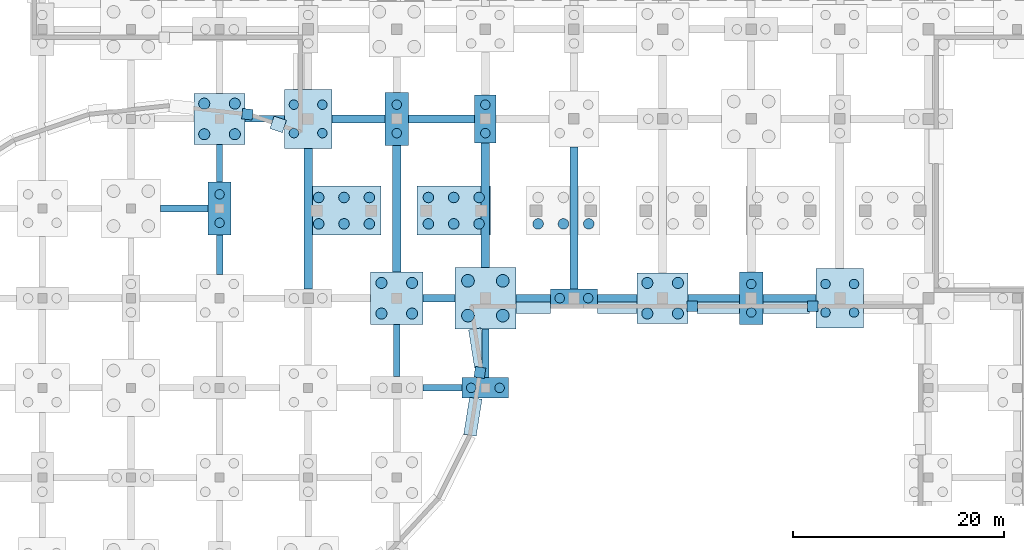
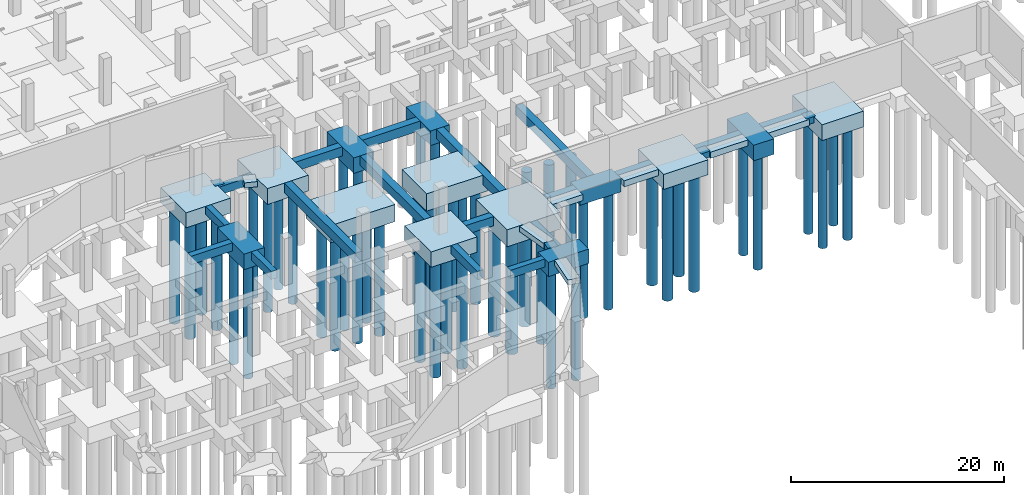
# One storey, part 4 of 34: 51 piles, 43 footings.
"""IFC4 building model written with IfcOpenShell, lengths in metres."""

from ifc_helpers import new_model, si_unit, direction, frame, origin, origin_2d, place, context, subcontext, project, spatial, rectangle, circle, extrude, material, material_profile, profile_set, type_object, element, save


model = new_model("IFC4")

# Units and contexts
model_context = context("Model", 3, precision=1e-05, world=origin(), true_north=direction((0.0, 1.0)))
body_context = subcontext(model_context, "Body", "Model", "MODEL_VIEW")
ifc_project = project(units=[si_unit("LENGTHUNIT", "METRE"), si_unit("AREAUNIT", "SQUARE_METRE"), si_unit("VOLUMEUNIT", "CUBIC_METRE"), si_unit("PLANEANGLEUNIT", "RADIAN"), si_unit("MASSUNIT", "GRAM", prefix="KILO")], contexts=[model_context])

# Site, building, storey
site_placement = place(None, origin())
site = spatial("IfcSite", under=ifc_project, at=site_placement, CompositionType="ELEMENT")
building_placement = place(site_placement, origin())
building = spatial("IfcBuilding", under=site, at=building_placement, Name="Solvento Point Concert Hall", CompositionType="ELEMENT")
storey_placement = place(building_placement, frame((0.0, 0.0, -5.39990234375)))
storey = spatial("IfcBuildingStorey", under=building, at=storey_placement, Name="B01", CompositionType="ELEMENT", Elevation=-5.39990234375)

# Piles
ifc_material_1 = material(Name="Concrete C40/50", Category="concrete")
ifc_material_profile_1 = material_profile(ifc_material_1, circle(Radius=0.5, at=origin_2d()), Name="BP-1000")
ifc_profile_set_1 = profile_set([ifc_material_profile_1], Name="Concrete C40/50")
pile_type_1 = type_object("IfcPileType", Name="BoredPile_1000", PredefinedType="BORED", material=ifc_profile_set_1)
for number, where, z_axis, x_axis, name in (
    (1, (75.39990234375, 49.550048828125, -1.880126953125), (0.0, 0.0, -1.0), (1.0, 0.0, 0.0), "Bored pile BoredPile_1000 #815"),
    (2, (77.800048828125, 49.550048828125, -1.880126953125), (0.0, 0.0, -1.0), (1.0, 0.0, 0.0), "Bored pile BoredPile_1000 #816"),
    (3, (80.199951171875, 49.550048828125, -1.880126953125), (0.0, 0.0, -1.0), (1.0, 0.0, 0.0), "Bored pile BoredPile_1000 #817"),
    (4, (75.39990234375, 52.050048828125, -1.880126953125), (0.0, 0.0, -1.0), (1.0, 0.0, 0.0), "Bored pile BoredPile_1000 #818"),
    (5, (77.800048828125, 52.050048828125, -1.880126953125), (0.0, 0.0, -1.0), (1.0, 0.0, 0.0), "Bored pile BoredPile_1000 #819"),
    (6, (80.199951171875, 52.050048828125, -1.880126953125), (0.0, 0.0, -1.0), (1.0, 0.0, 0.0), "Bored pile BoredPile_1000 #820"),
    (7, (85.800048828125, 49.550048828125, -1.880126953125), (0.0, 0.0, -1.0), (1.0, 0.0, 0.0), "Bored pile BoredPile_1000 #827"),
    (8, (88.199951171875, 49.550048828125, -1.880126953125), (0.0, 0.0, -1.0), (1.0, 0.0, 0.0), "Bored pile BoredPile_1000 #828"),
    (9, (90.60009765625, 49.550048828125, -1.880126953125), (0.0, 0.0, -1.0), (1.0, 0.0, 0.0), "Bored pile BoredPile_1000 #829"),
    (10, (85.800048828125, 52.050048828125, -1.880126953125), (0.0, 0.0, -1.0), (1.0, 0.0, 0.0), "Bored pile BoredPile_1000 #830"),
    (11, (88.199951171875, 52.050048828125, -1.880126953125), (0.0, 0.0, -1.0), (1.0, 0.0, 0.0), "Bored pile BoredPile_1000 #831"),
    (12, (90.60009765625, 52.050048828125, -1.880126953125), (0.0, 0.0, -1.0), (1.0, 0.0, 0.0), "Bored pile BoredPile_1000 #832"),
    (13, (96.199951171875, 49.550048828125, -1.880126953125), (0.0, 0.0, -1.0), (1.0, 0.0, 0.0), "Bored pile BoredPile_1000 #839"),
    (14, (98.60009765625, 49.550048828125, -1.880126953125), (0.0, 0.0, -1.0), (1.0, 0.0, 0.0), "Bored pile BoredPile_1000 #840"),
    (15, (101.0, 49.550048828125, -1.880126953125), (0.0, 0.0, -1.0), (1.0, 0.0, 0.0), "Bored pile BoredPile_1000 #841"),
):
    element("IfcPile", number, at=place(storey_placement, frame(where, z_axis=z_axis, x_axis=x_axis)), inside=storey, type_object=pile_type_1, Name=name, PredefinedType="BORED", context=body_context, shape_type="SweptSolid", body=[
        extrude(circle(Radius=0.5, at=origin_2d()), origin(), (0.0, 0.0, 1.0), 13.219970703125),
    ])
ifc_material_2 = material(Name="Concrete C40/50", Category="concrete")
ifc_material_profile_2 = material_profile(ifc_material_2, circle(Radius=0.52490234375, at=origin_2d()), Name="BP-1050")
ifc_profile_set_2 = profile_set([ifc_material_profile_2], Name="Concrete C40/50")
pile_type_2 = type_object("IfcPileType", Name="BoredPile_1050", PredefinedType="BORED", material=ifc_profile_set_2)
for number, where, z_axis, x_axis, name in (
    (16, (64.550048828125, 58.050048828125, -1.6201171875), (0.0, 0.0, -1.0), (1.0, 0.0, 0.0), "Bored pile BoredPile_1050 #229"),
    (17, (67.449951171875, 58.050048828125, -1.6201171875), (0.0, 0.0, -1.0), (1.0, 0.0, 0.0), "Bored pile BoredPile_1050 #230"),
    (18, (64.550048828125, 60.949951171875, -1.6201171875), (0.0, 0.0, -1.0), (1.0, 0.0, 0.0), "Bored pile BoredPile_1050 #231"),
    (19, (67.449951171875, 60.949951171875, -1.6201171875), (0.0, 0.0, -1.0), (1.0, 0.0, 0.0), "Bored pile BoredPile_1050 #232"),
):
    element("IfcPile", number, at=place(storey_placement, frame(where, z_axis=z_axis, x_axis=x_axis)), inside=storey, type_object=pile_type_2, Name=name, PredefinedType="BORED", context=body_context, shape_type="SweptSolid", body=[
        extrude(circle(Radius=0.52490234375, at=origin_2d()), origin(), (0.0, 0.0, 1.0), 13.47998046875),
    ])
for number, where, z_axis, x_axis, name in (
    (20, (81.35009765625, 41.050048828125, -1.66015625), (0.0, 0.0, -1.0), (1.0, 0.0, 0.0), "Bored pile BoredPile_1050 #307"),
    (21, (84.25, 41.050048828125, -1.66015625), (0.0, 0.0, -1.0), (1.0, 0.0, 0.0), "Bored pile BoredPile_1050 #308"),
    (22, (81.35009765625, 43.949951171875, -1.66015625), (0.0, 0.0, -1.0), (1.0, 0.0, 0.0), "Bored pile BoredPile_1050 #309"),
    (23, (84.25, 43.949951171875, -1.66015625), (0.0, 0.0, -1.0), (1.0, 0.0, 0.0), "Bored pile BoredPile_1050 #310"),
):
    element("IfcPile", number, at=place(storey_placement, frame(where, z_axis=z_axis, x_axis=x_axis)), inside=storey, type_object=pile_type_2, Name=name, PredefinedType="BORED", context=body_context, shape_type="SweptSolid", body=[
        extrude(circle(Radius=0.52490234375, at=origin_2d()), origin(), (0.0, 0.0, 1.0), 13.43994140625),
    ])
for number, where, z_axis, x_axis, name in (
    (24, (106.550048828125, 41.050048828125, -1.6201171875), (0.0, 0.0, -1.0), (1.0, 0.0, 0.0), "Bored pile BoredPile_1050 #373"),
    (25, (109.449951171875, 41.050048828125, -1.6201171875), (0.0, 0.0, -1.0), (1.0, 0.0, 0.0), "Bored pile BoredPile_1050 #374"),
    (26, (106.550048828125, 43.949951171875, -1.6201171875), (0.0, 0.0, -1.0), (1.0, 0.0, 0.0), "Bored pile BoredPile_1050 #375"),
    (27, (109.449951171875, 43.949951171875, -1.6201171875), (0.0, 0.0, -1.0), (1.0, 0.0, 0.0), "Bored pile BoredPile_1050 #376"),
):
    element("IfcPile", number, at=place(storey_placement, frame(where, z_axis=z_axis, x_axis=x_axis)), inside=storey, type_object=pile_type_2, Name=name, PredefinedType="BORED", context=body_context, shape_type="SweptSolid", body=[
        extrude(circle(Radius=0.52490234375, at=origin_2d()), origin(), (0.0, 0.0, 1.0), 13.47998046875),
    ])
ifc_material_3 = material(Name="Concrete C40/50", Category="concrete")
ifc_material_profile_3 = material_profile(ifc_material_3, circle(Radius=0.60009765625, at=origin_2d()), Name="BP-1200")
ifc_profile_set_3 = profile_set([ifc_material_profile_3], Name="Concrete C40/50")
pile_type_3 = type_object("IfcPileType", Name="BoredPile_1200", PredefinedType="BORED", material=ifc_profile_set_3)
for number, where, z_axis, x_axis, name in (
    (28, (89.550048828125, 40.85009765625, -1.85009765625), (0.0, 0.0, -1.0), (1.0, 0.0, 0.0), "Bored pile BoredPile_1200 #331"),
    (29, (92.85009765625, 40.85009765625, -1.85009765625), (0.0, 0.0, -1.0), (1.0, 0.0, 0.0), "Bored pile BoredPile_1200 #332"),
    (30, (89.550048828125, 44.14990234375, -1.85009765625), (0.0, 0.0, -1.0), (1.0, 0.0, 0.0), "Bored pile BoredPile_1200 #333"),
    (31, (92.85009765625, 44.14990234375, -1.85009765625), (0.0, 0.0, -1.0), (1.0, 0.0, 0.0), "Bored pile BoredPile_1200 #334"),
):
    element("IfcPile", number, at=place(storey_placement, frame(where, z_axis=z_axis, x_axis=x_axis)), inside=storey, type_object=pile_type_3, Name=name, PredefinedType="BORED", context=body_context, shape_type="SweptSolid", body=[
        extrude(circle(Radius=0.60009765625, at=origin_2d()), origin(), (0.0, 0.0, 1.0), 13.25),
    ])
ifc_material_4 = material(Name="Concrete C40/50", Category="concrete")
ifc_material_profile_4 = material_profile(ifc_material_4, circle(Radius=0.449951171875, at=origin_2d()), Name="BP-900")
ifc_profile_set_4 = profile_set([ifc_material_profile_4], Name="Concrete C40/50")
pile_type_4 = type_object("IfcPileType", Name="BoredPile_900", PredefinedType="BORED", material=ifc_profile_set_4)
for number, where, z_axis, x_axis, name in (
    (32, (66.0, 49.64990234375, -1.68017578125), (0.0, 0.0, -1.0), (1.0, 0.0, 0.0), "Bored pile BoredPile_900 #227"),
    (33, (66.0, 52.35009765625, -1.68017578125), (0.0, 0.0, -1.0), (1.0, 0.0, 0.0), "Bored pile BoredPile_900 #228"),
):
    element("IfcPile", number, at=place(storey_placement, frame(where, z_axis=z_axis, x_axis=x_axis)), inside=storey, type_object=pile_type_4, Name=name, PredefinedType="BORED", context=body_context, shape_type="SweptSolid", body=[
        extrude(circle(Radius=0.449951171875, at=origin_2d()), origin(), (0.0, 0.0, 1.0), 13.419921875),
    ])
for number, where, z_axis, x_axis, name in (
    (34, (73.050048828125, 58.14990234375, -1.72021484375), (0.0, 0.0, -1.0), (1.0, 0.0, 0.0), "Bored pile BoredPile_900 #271"),
    (35, (75.75, 58.14990234375, -1.72021484375), (0.0, 0.0, -1.0), (1.0, 0.0, 0.0), "Bored pile BoredPile_900 #272"),
    (36, (73.050048828125, 60.85009765625, -1.72021484375), (0.0, 0.0, -1.0), (1.0, 0.0, 0.0), "Bored pile BoredPile_900 #273"),
    (37, (75.75, 60.85009765625, -1.72021484375), (0.0, 0.0, -1.0), (1.0, 0.0, 0.0), "Bored pile BoredPile_900 #274"),
):
    element("IfcPile", number, at=place(storey_placement, frame(where, z_axis=z_axis, x_axis=x_axis)), inside=storey, type_object=pile_type_4, Name=name, PredefinedType="BORED", context=body_context, shape_type="SweptSolid", body=[
        extrude(circle(Radius=0.449951171875, at=origin_2d()), origin(), (0.0, 0.0, 1.0), 13.3798828125),
    ])
for number, where, z_axis, x_axis, name in (
    (38, (82.800048828125, 58.14990234375, -1.68017578125), (0.0, 0.0, -1.0), (1.0, 0.0, 0.0), "Bored pile BoredPile_900 #311"),
    (39, (82.800048828125, 60.85009765625, -1.68017578125), (0.0, 0.0, -1.0), (1.0, 0.0, 0.0), "Bored pile BoredPile_900 #312"),
):
    element("IfcPile", number, at=place(storey_placement, frame(where, z_axis=z_axis, x_axis=x_axis)), inside=storey, type_object=pile_type_4, Name=name, PredefinedType="BORED", context=body_context, shape_type="SweptSolid", body=[
        extrude(circle(Radius=0.449951171875, at=origin_2d()), origin(), (0.0, 0.0, 1.0), 13.419921875),
    ])
for number, where, z_axis, x_axis, name in (
    (40, (89.85009765625, 34.0, -1.5400390625), (0.0, 0.0, -1.0), (1.0, 0.0, 0.0), "Bored pile BoredPile_900 #329"),
    (41, (92.550048828125, 34.0, -1.5400390625), (0.0, 0.0, -1.0), (1.0, 0.0, 0.0), "Bored pile BoredPile_900 #330"),
):
    element("IfcPile", number, at=place(storey_placement, frame(where, z_axis=z_axis, x_axis=x_axis)), inside=storey, type_object=pile_type_4, Name=name, PredefinedType="BORED", context=body_context, shape_type="SweptSolid", body=[
        extrude(circle(Radius=0.449951171875, at=origin_2d()), origin(), (0.0, 0.0, 1.0), 13.56005859375),
    ])
for number, where, z_axis, x_axis, name in (
    (42, (91.199951171875, 58.14990234375, -1.56005859375), (0.0, 0.0, -1.0), (1.0, 0.0, 0.0), "Bored pile BoredPile_900 #335"),
    (43, (91.199951171875, 60.85009765625, -1.56005859375), (0.0, 0.0, -1.0), (1.0, 0.0, 0.0), "Bored pile BoredPile_900 #336"),
):
    element("IfcPile", number, at=place(storey_placement, frame(where, z_axis=z_axis, x_axis=x_axis)), inside=storey, type_object=pile_type_4, Name=name, PredefinedType="BORED", context=body_context, shape_type="SweptSolid", body=[
        extrude(circle(Radius=0.449951171875, at=origin_2d()), origin(), (0.0, 0.0, 1.0), 13.5400390625),
    ])
for number, where, z_axis, x_axis, name in (
    (44, (98.25, 42.5, -1.5), (0.0, 0.0, -1.0), (1.0, 0.0, 0.0), "Bored pile BoredPile_900 #353"),
    (45, (100.949951171875, 42.5, -1.5), (0.0, 0.0, -1.0), (1.0, 0.0, 0.0), "Bored pile BoredPile_900 #354"),
):
    element("IfcPile", number, at=place(storey_placement, frame(where, z_axis=z_axis, x_axis=x_axis)), inside=storey, type_object=pile_type_4, Name=name, PredefinedType="BORED", context=body_context, shape_type="SweptSolid", body=[
        extrude(circle(Radius=0.449951171875, at=origin_2d()), origin(), (0.0, 0.0, 1.0), 13.60009765625),
    ])
for number, where, z_axis, x_axis, name in (
    (46, (116.39990234375, 41.14990234375, -1.68017578125), (0.0, 0.0, -1.0), (1.0, 0.0, 0.0), "Bored pile BoredPile_900 #395"),
    (47, (116.39990234375, 43.85009765625, -1.68017578125), (0.0, 0.0, -1.0), (1.0, 0.0, 0.0), "Bored pile BoredPile_900 #396"),
):
    element("IfcPile", number, at=place(storey_placement, frame(where, z_axis=z_axis, x_axis=x_axis)), inside=storey, type_object=pile_type_4, Name=name, PredefinedType="BORED", context=body_context, shape_type="SweptSolid", body=[
        extrude(circle(Radius=0.449951171875, at=origin_2d()), origin(), (0.0, 0.0, 1.0), 13.419921875),
    ])
for number, where, z_axis, x_axis, name in (
    (48, (123.449951171875, 41.14990234375, -1.72021484375), (0.0, 0.0, -1.0), (1.0, 0.0, 0.0), "Bored pile BoredPile_900 #415"),
    (49, (126.14990234375, 41.14990234375, -1.72021484375), (0.0, 0.0, -1.0), (1.0, 0.0, 0.0), "Bored pile BoredPile_900 #416"),
    (50, (123.449951171875, 43.85009765625, -1.72021484375), (0.0, 0.0, -1.0), (1.0, 0.0, 0.0), "Bored pile BoredPile_900 #417"),
    (51, (126.14990234375, 43.85009765625, -1.72021484375), (0.0, 0.0, -1.0), (1.0, 0.0, 0.0), "Bored pile BoredPile_900 #418"),
):
    element("IfcPile", number, at=place(storey_placement, frame(where, z_axis=z_axis, x_axis=x_axis)), inside=storey, type_object=pile_type_4, Name=name, PredefinedType="BORED", context=body_context, shape_type="SweptSolid", body=[
        extrude(circle(Radius=0.449951171875, at=origin_2d()), origin(), (0.0, 0.0, 1.0), 13.3798828125),
    ])

# Footings
ifc_material_5 = material(Name="Concrete C40/50", Category="concrete")
footing_type_1 = type_object("IfcFootingType", Name="PileCap_2C", PredefinedType="PILE_CAP", material=ifc_material_5)
footing_1_placement = place(storey_placement, frame((99.60009765625, 42.5, -1.60009765625), z_axis=(0.0, 0.0, 1.0), x_axis=(1.0, 0.0, 0.0)))
element("IfcFooting", 52, at=footing_1_placement, inside=storey, type_object=footing_type_1, Name="Pile cap PC-2C at G-13-F", PredefinedType="PILE_CAP", context=body_context, shape_type="SweptSolid", body=[
    extrude(rectangle(XDim=4.4599609375, YDim=1.780029296875, at=origin_2d()), origin(), (0.0, 0.0, 1.0), 1.60009765625),
])
ifc_material_6 = material(Name="Concrete C40/50", Category="concrete")
footing_type_2 = type_object("IfcFootingType", Name="PileCap_2K", PredefinedType="PILE_CAP", material=ifc_material_6)
for number, where, z_axis, x_axis, name in (
    (53, (66.0, 51.0, -1.7802734375), (0.0, 0.0, 1.0), (1.0, 0.0, 0.0), "Pile cap PC-2K at G-09-G"),
    (54, (82.800048828125, 59.5, -1.7802734375), (0.0, 0.0, 1.0), (1.0, 0.0, 0.0), "Pile cap PC-2K at G-11-H"),
    (55, (116.39990234375, 42.5, -1.7802734375), (0.0, 0.0, 1.0), (1.0, 0.0, 0.0), "Pile cap PC-2K at G-15-F"),
):
    element("IfcFooting", number, at=place(storey_placement, frame(where, z_axis=z_axis, x_axis=x_axis)), inside=storey, type_object=footing_type_2, Name=name, PredefinedType="PILE_CAP", context=body_context, shape_type="SweptSolid", body=[
        extrude(rectangle(XDim=2.199951171875, YDim=5.02001953125, at=origin_2d()), origin(), (0.0, 0.0, 1.0), 1.780029296875),
    ])
ifc_material_7 = material(Name="Concrete C40/50", Category="concrete")
footing_type_3 = type_object("IfcFootingType", Name="PileCap_2N", PredefinedType="PILE_CAP", material=ifc_material_7)
footing_2_placement = place(storey_placement, frame((91.199951171875, 34.0, -1.64013671875), z_axis=(0.0, 0.0, 1.0), x_axis=(1.0, 0.0, 0.0)))
element("IfcFooting", 56, at=footing_2_placement, inside=storey, type_object=footing_type_3, Name="Pile cap PC-2N at G-12-E", PredefinedType="PILE_CAP", context=body_context, shape_type="SweptSolid", body=[
    extrude(rectangle(XDim=4.39990234375, YDim=1.93994140625, at=origin_2d()), origin(), (0.0, 0.0, 1.0), 1.639892578125),
])
ifc_material_8 = material(Name="Concrete C40/50", Category="concrete")
footing_type_4 = type_object("IfcFootingType", Name="PileCap_2P", PredefinedType="PILE_CAP", material=ifc_material_8)
footing_3_placement = place(storey_placement, frame((91.199951171875, 59.5, -1.66015625), z_axis=(0.0, 0.0, 1.0), x_axis=(1.0, 0.0, 0.0)))
element("IfcFooting", 57, at=footing_3_placement, inside=storey, type_object=footing_type_4, Name="Pile cap PC-2P at G-12-H", PredefinedType="PILE_CAP", context=body_context, shape_type="SweptSolid", body=[
    extrude(rectangle(XDim=2.050048828125, YDim=4.580078125, at=origin_2d()), origin(), (0.0, 0.0, 1.0), 1.659912109375),
])
ifc_material_9 = material(Name="Concrete C40/50", Category="concrete")
footing_type_5 = type_object("IfcFootingType", Name="PileCap_4C", PredefinedType="PILE_CAP", material=ifc_material_9)
for number, where, z_axis, x_axis, name in (
    (58, (66.0, 59.5, -1.72021484375), (0.0, 0.0, 1.0), (1.0, 0.0, 0.0), "Pile cap PC-4C at G-09-H"),
    (59, (108.0, 42.5, -1.72021484375), (0.0, 0.0, 1.0), (1.0, 0.0, 0.0), "Pile cap PC-4C at G-14-F"),
):
    element("IfcFooting", number, at=place(storey_placement, frame(where, z_axis=z_axis, x_axis=x_axis)), inside=storey, type_object=footing_type_5, Name=name, PredefinedType="PILE_CAP", context=body_context, shape_type="SweptSolid", body=[
        extrude(rectangle(XDim=4.820068359375, YDim=4.820068359375, at=origin_2d()), origin(), (0.0, 0.0, 1.0), 1.719970703125),
    ])
ifc_material_10 = material(Name="Concrete C40/50", Category="concrete")
footing_type_6 = type_object("IfcFootingType", Name="PileCap_4D", PredefinedType="PILE_CAP", material=ifc_material_10)
footing_4_placement = place(storey_placement, frame((82.800048828125, 42.5, -1.76025390625), z_axis=(0.0, 0.0, 1.0), x_axis=(1.0, 0.0, 0.0)))
element("IfcFooting", 60, at=footing_4_placement, inside=storey, type_object=footing_type_6, Name="Pile cap PC-4D at G-11-F", PredefinedType="PILE_CAP", context=body_context, shape_type="SweptSolid", body=[
    extrude(rectangle(XDim=4.97998046875, YDim=4.97998046875, at=origin_2d()), origin(), (0.0, 0.0, 1.0), 1.760009765625),
])
ifc_material_11 = material(Name="Concrete C40/50", Category="concrete")
footing_type_7 = type_object("IfcFootingType", Name="PileCap_4H", PredefinedType="PILE_CAP", material=ifc_material_11)
footing_5_placement = place(storey_placement, frame((91.199951171875, 42.5, -1.9501953125), z_axis=(0.0, 0.0, 1.0), x_axis=(1.0, 0.0, 0.0)))
element("IfcFooting", 61, at=footing_5_placement, inside=storey, type_object=footing_type_7, Name="Pile cap PC-4H at G-12-F", PredefinedType="PILE_CAP", context=body_context, shape_type="SweptSolid", body=[
    extrude(rectangle(XDim=5.800048828125, YDim=5.800048828125, at=origin_2d()), origin(), (0.0, 0.0, 1.0), 1.949951171875),
])
ifc_material_12 = material(Name="Concrete C40/50", Category="concrete")
footing_type_8 = type_object("IfcFootingType", Name="PileCap_4K", PredefinedType="PILE_CAP", material=ifc_material_12)
for number, where, z_axis, x_axis, name in (
    (62, (74.39990234375, 59.5, -1.8203125), (0.0, 0.0, 1.0), (1.0, 0.0, 0.0), "Pile cap PC-4K at G-10-H"),
    (63, (124.800048828125, 42.5, -1.8203125), (0.0, 0.0, 1.0), (1.0, 0.0, 0.0), "Pile cap PC-4K at G-16-F"),
):
    element("IfcFooting", number, at=place(storey_placement, frame(where, z_axis=z_axis, x_axis=x_axis)), inside=storey, type_object=footing_type_8, Name=name, PredefinedType="PILE_CAP", context=body_context, shape_type="SweptSolid", body=[
        extrude(rectangle(XDim=4.47998046875, YDim=5.60009765625, at=origin_2d()), origin(), (0.0, 0.0, 1.0), 1.820068359375),
    ])
ifc_material_13 = material(Name="Concrete C40/50", Category="concrete")
footing_type_9 = type_object("IfcFootingType", Name="PileCap_6C", PredefinedType="PILE_CAP", material=ifc_material_13)
for number, where, z_axis, x_axis, name in (
    (64, (77.800048828125, 50.800048828125, -1.97998046875), (0.0, 0.0, 1.0), (1.0, 0.0, 0.0), "Pile cap PC-6C at D-DS01"),
    (65, (88.199951171875, 50.800048828125, -1.97998046875), (0.0, 0.0, 1.0), (1.0, 0.0, 0.0), "Pile cap PC-6C at D-DS03"),
):
    element("IfcFooting", number, at=place(storey_placement, frame(where, z_axis=z_axis, x_axis=x_axis)), inside=storey, type_object=footing_type_9, Name=name, PredefinedType="PILE_CAP", context=body_context, shape_type="SweptSolid", body=[
        extrude(rectangle(XDim=6.97998046875, YDim=4.639892578125, at=origin_2d()), origin(), (0.0, 0.0, 1.0), 1.97998046875),
    ])
ifc_material_14 = material(Name="Concrete C40/50", Category="concrete")
footing_type_10 = type_object("IfcFootingType", Name="StripFooting_1200x600", PredefinedType="STRIP_FOOTING", material=ifc_material_14)
footing_6_placement = place(storey_placement, frame((68.642578125, 59.943115234375, -0.60009765625), z_axis=(0.0, 0.0, 1.0), x_axis=(0.994036180305, -0.109050778282, 0.0)))
element("IfcFooting", 66, at=footing_6_placement, inside=storey, type_object=footing_type_10, Name="Strip footing SF-01", PredefinedType="STRIP_FOOTING", context=body_context, shape_type="SweptSolid", body=[
    extrude(rectangle(XDim=1.0, YDim=1.0, at=origin_2d()), origin(), (0.0, 0.0, 1.0), 0.60009765625),
])
footing_7_placement = place(storey_placement, frame((71.562255859375, 58.97705078125, -0.60009765625), z_axis=(0.0, 0.0, 1.0), x_axis=(0.945264291919, -0.326305713132, 0.0)))
element("IfcFooting", 67, at=footing_7_placement, inside=storey, type_object=footing_type_10, Name="Strip footing SF-01", PredefinedType="STRIP_FOOTING", context=body_context, shape_type="SweptSolid", body=[
    extrude(rectangle(XDim=1.243896484375, YDim=1.243896484375, at=origin_2d()), origin(), (0.0, 0.0, 1.0), 0.60009765625),
])
footing_8_placement = place(storey_placement, frame((90.484375, 37.772705078125, -0.60009765625), z_axis=(0.0, 0.0, 1.0), x_axis=(0.156041416836, -0.987750513152, 0.0)))
element("IfcFooting", 68, at=footing_8_placement, inside=storey, type_object=footing_type_10, Name="Strip footing SF-01", PredefinedType="STRIP_FOOTING", context=body_context, shape_type="SweptSolid", body=[
    extrude(rectangle(XDim=3.679443359375, YDim=1.199951171875, at=origin_2d()), origin(), (0.0, 0.0, 1.0), 0.60009765625),
])
footing_9_placement = place(storey_placement, frame((90.67919921875, 35.46142578125, -0.60009765625), z_axis=(0.0, 0.0, 1.0), x_axis=(-0.156037968936, -0.987751057833, 0.0)))
element("IfcFooting", 69, at=footing_9_placement, inside=storey, type_object=footing_type_10, Name="Strip footing SF-01", PredefinedType="STRIP_FOOTING", context=body_context, shape_type="SweptSolid", body=[
    extrude(rectangle(XDim=1.0, YDim=1.0, at=origin_2d()), origin(), (0.0, 0.0, 1.0), 0.60009765625),
])
footing_10_placement = place(storey_placement, frame((90.0166015625, 31.265869140625, -0.60009765625), z_axis=(0.0, 0.0, 1.0), x_axis=(-0.156037968936, -0.987751057833, 0.0)))
element("IfcFooting", 70, at=footing_10_placement, inside=storey, type_object=footing_type_10, Name="Strip footing SF-01", PredefinedType="STRIP_FOOTING", context=body_context, shape_type="SweptSolid", body=[
    extrude(rectangle(XDim=3.552001953125, YDim=1.199951171875, at=origin_2d()), origin(), (0.0, 0.0, 1.0), 0.60009765625),
])
ifc_material_15 = material(Name="Concrete C40/50", Category="concrete")
footing_type_11 = type_object("IfcFootingType", Name="StripFooting_1400x700", PredefinedType="STRIP_FOOTING", material=ifc_material_15)
footing_11_placement = place(storey_placement, frame((122.252685546875, 41.7451171875, -0.7001953125), z_axis=(0.0, 0.0, 1.0), x_axis=(-1.0, 0.0, 0.0)))
element("IfcFooting", 71, at=footing_11_placement, inside=storey, type_object=footing_type_11, Name="Strip footing SF-02", PredefinedType="STRIP_FOOTING", context=body_context, shape_type="SweptSolid", body=[
    extrude(rectangle(XDim=1.0, YDim=1.0, at=origin_2d()), origin(), (0.0, 0.0, 1.0), 0.699951171875),
])
footing_12_placement = place(storey_placement, frame((119.727783203125, 41.7451171875, -0.7001953125), z_axis=(0.0, 0.0, 1.0), x_axis=(-1.0, 0.0, 0.0)))
element("IfcFooting", 72, at=footing_12_placement, inside=storey, type_object=footing_type_11, Name="Strip footing SF-02", PredefinedType="STRIP_FOOTING", context=body_context, shape_type="SweptSolid", body=[
    extrude(rectangle(XDim=4.435302734375, YDim=1.39990234375, at=origin_2d()), origin(), (0.0, 0.0, 1.0), 0.699951171875),
])
footing_13_placement = place(storey_placement, frame((113.265380859375, 41.7451171875, -0.7001953125), z_axis=(0.0, 0.0, 1.0), x_axis=(-1.0, 0.0, 0.0)))
element("IfcFooting", 73, at=footing_13_placement, inside=storey, type_object=footing_type_11, Name="Strip footing SF-02", PredefinedType="STRIP_FOOTING", context=body_context, shape_type="SweptSolid", body=[
    extrude(rectangle(XDim=4.049072265625, YDim=1.39990234375, at=origin_2d()), origin(), (0.0, 0.0, 1.0), 0.699951171875),
])
footing_14_placement = place(storey_placement, frame((110.825439453125, 41.7451171875, -0.7001953125), z_axis=(0.0, 0.0, 1.0), x_axis=(-1.0, 0.0, 0.0)))
element("IfcFooting", 74, at=footing_14_placement, inside=storey, type_object=footing_type_11, Name="Strip footing SF-02", PredefinedType="STRIP_FOOTING", context=body_context, shape_type="SweptSolid", body=[
    extrude(rectangle(XDim=1.0, YDim=1.0, at=origin_2d()), origin(), (0.0, 0.0, 1.0), 0.699951171875),
])
footing_15_placement = place(storey_placement, frame((103.7099609375, 41.7451171875, -0.7001953125), z_axis=(0.0, 0.0, 1.0), x_axis=(-1.0, 0.0, 0.0)))
element("IfcFooting", 75, at=footing_15_placement, inside=storey, type_object=footing_type_11, Name="Strip footing SF-02", PredefinedType="STRIP_FOOTING", context=body_context, shape_type="SweptSolid", body=[
    extrude(rectangle(XDim=3.739990234375, YDim=1.39990234375, at=origin_2d()), origin(), (0.0, 0.0, 1.0), 0.699951171875),
])
footing_16_placement = place(storey_placement, frame((95.735107421875, 41.7451171875, -0.7001953125), z_axis=(0.0, 0.0, 1.0), x_axis=(-1.0, 0.0, 0.0)))
element("IfcFooting", 76, at=footing_16_placement, inside=storey, type_object=footing_type_11, Name="Strip footing SF-02", PredefinedType="STRIP_FOOTING", context=body_context, shape_type="SweptSolid", body=[
    extrude(rectangle(XDim=3.25, YDim=1.39990234375, at=origin_2d()), origin(), (0.0, 0.0, 1.0), 0.699951171875),
])
ifc_material_16 = material(Name="Concrete C40/50", Category="concrete")
footing_type_12 = type_object("IfcFootingType", Name="TieBeam_600x900", PredefinedType="FOOTING_BEAM", material=ifc_material_16)
footing_17_placement = place(storey_placement, frame((66.0, 55.300048828125, -0.900146484375), z_axis=(0.0, 0.0, 1.0), x_axis=(0.0, 1.0, 0.0)))
element("IfcFooting", 77, at=footing_17_placement, inside=storey, type_object=footing_type_12, Name="Seismic tie beam GB-01", PredefinedType="FOOTING_BEAM", context=body_context, shape_type="SweptSolid", body=[
    extrude(rectangle(XDim=3.580078125, YDim=0.60009765625, at=origin_2d()), origin(), (0.0, 0.0, 1.0), 0.89990234375),
])
ifc_material_17 = material(Name="Concrete C40/50", Category="concrete")
footing_type_13 = type_object("IfcFootingType", Name="TieBeam_620x920", PredefinedType="FOOTING_BEAM", material=ifc_material_17)
footing_18_placement = place(storey_placement, frame((87.135009765625, 34.0, -0.920166015625), z_axis=(0.0, 0.0, 1.0), x_axis=(1.0, 0.0, 0.0)))
element("IfcFooting", 78, at=footing_18_placement, inside=storey, type_object=footing_type_13, Name="Seismic tie beam GB-02", PredefinedType="FOOTING_BEAM", context=body_context, shape_type="SweptSolid", body=[
    extrude(rectangle(XDim=3.72998046875, YDim=0.6201171875, at=origin_2d()), origin(), (0.0, 0.0, 1.0), 0.919921875),
])
footing_19_placement = place(storey_placement, frame((70.284912109375, 59.5, -0.920166015625), z_axis=(0.0, 0.0, 1.0), x_axis=(1.0, 0.0, 0.0)))
element("IfcFooting", 79, at=footing_19_placement, inside=storey, type_object=footing_type_13, Name="Seismic tie beam GB-02", PredefinedType="FOOTING_BEAM", context=body_context, shape_type="SweptSolid", body=[
    extrude(rectangle(XDim=3.75, YDim=0.6201171875, at=origin_2d()), origin(), (0.0, 0.0, 1.0), 0.919921875),
])
footing_20_placement = place(storey_placement, frame((66.0, 46.6201171875, -0.920166015625), z_axis=(0.0, 0.0, 1.0), x_axis=(0.0, 1.0, 0.0)))
element("IfcFooting", 80, at=footing_20_placement, inside=storey, type_object=footing_type_13, Name="Seismic tie beam GB-02", PredefinedType="FOOTING_BEAM", context=body_context, shape_type="SweptSolid", body=[
    extrude(rectangle(XDim=3.739990234375, YDim=0.6201171875, at=origin_2d()), origin(), (0.0, 0.0, 1.0), 0.919921875),
])
ifc_material_18 = material(Name="Concrete C40/50", Category="concrete")
footing_type_14 = type_object("IfcFootingType", Name="TieBeam_650x950", PredefinedType="FOOTING_BEAM", material=ifc_material_18)
footing_21_placement = place(storey_placement, frame((62.655029296875, 51.0, -0.9501953125), z_axis=(0.0, 0.0, 1.0), x_axis=(1.0, 0.0, 0.0)))
element("IfcFooting", 81, at=footing_21_placement, inside=storey, type_object=footing_type_14, Name="Seismic tie beam GB-03", PredefinedType="FOOTING_BEAM", context=body_context, shape_type="SweptSolid", body=[
    extrude(rectangle(XDim=4.489990234375, YDim=0.64990234375, at=origin_2d()), origin(), (0.0, 0.0, 1.0), 0.949951171875),
])
footing_22_placement = place(storey_placement, frame((82.800048828125, 37.5400390625, -0.9501953125), z_axis=(0.0, 0.0, 1.0), x_axis=(0.0, 1.0, 0.0)))
element("IfcFooting", 82, at=footing_22_placement, inside=storey, type_object=footing_type_14, Name="Seismic tie beam GB-03", PredefinedType="FOOTING_BEAM", context=body_context, shape_type="SweptSolid", body=[
    extrude(rectangle(XDim=4.93994140625, YDim=0.64990234375, at=origin_2d()), origin(), (0.0, 0.0, 1.0), 0.949951171875),
])
footing_23_placement = place(storey_placement, frame((91.199951171875, 37.284912109375, -0.9501953125), z_axis=(0.0, 0.0, 1.0), x_axis=(0.0, 1.0, 0.0)))
element("IfcFooting", 83, at=footing_23_placement, inside=storey, type_object=footing_type_14, Name="Seismic tie beam GB-03", PredefinedType="FOOTING_BEAM", context=body_context, shape_type="SweptSolid", body=[
    extrude(rectangle(XDim=4.6298828125, YDim=0.64990234375, at=origin_2d()), origin(), (0.0, 0.0, 1.0), 0.949951171875),
])
ifc_material_19 = material(Name="Concrete C40/50", Category="concrete")
footing_type_15 = type_object("IfcFootingType", Name="TieBeam_750x1050", PredefinedType="FOOTING_BEAM", material=ifc_material_19)
footing_24_placement = place(storey_placement, frame((86.794921875, 42.5, -1.05029296875), z_axis=(0.0, 0.0, 1.0), x_axis=(1.0, 0.0, 0.0)))
element("IfcFooting", 84, at=footing_24_placement, inside=storey, type_object=footing_type_15, Name="Seismic tie beam GB-07", PredefinedType="FOOTING_BEAM", context=body_context, shape_type="SweptSolid", body=[
    extrude(rectangle(XDim=3.010009765625, YDim=0.75, at=origin_2d()), origin(), (0.0, 0.0, 1.0), 1.050048828125),
])
footing_25_placement = place(storey_placement, frame((95.735107421875, 42.5, -1.05029296875), z_axis=(0.0, 0.0, 1.0), x_axis=(1.0, 0.0, 0.0)))
element("IfcFooting", 85, at=footing_25_placement, inside=storey, type_object=footing_type_15, Name="Seismic tie beam GB-07", PredefinedType="FOOTING_BEAM", context=body_context, shape_type="SweptSolid", body=[
    extrude(rectangle(XDim=3.27001953125, YDim=0.75, at=origin_2d()), origin(), (0.0, 0.0, 1.0), 1.050048828125),
])
footing_26_placement = place(storey_placement, frame((103.7099609375, 42.5, -1.05029296875), z_axis=(0.0, 0.0, 1.0), x_axis=(1.0, 0.0, 0.0)))
element("IfcFooting", 86, at=footing_26_placement, inside=storey, type_object=footing_type_15, Name="Seismic tie beam GB-07", PredefinedType="FOOTING_BEAM", context=body_context, shape_type="SweptSolid", body=[
    extrude(rectangle(XDim=3.760009765625, YDim=0.75, at=origin_2d()), origin(), (0.0, 0.0, 1.0), 1.050048828125),
])
footing_27_placement = place(storey_placement, frame((112.85498046875, 42.5, -1.05029296875), z_axis=(0.0, 0.0, 1.0), x_axis=(1.0, 0.0, 0.0)))
element("IfcFooting", 87, at=footing_27_placement, inside=storey, type_object=footing_type_15, Name="Seismic tie beam GB-07", PredefinedType="FOOTING_BEAM", context=body_context, shape_type="SweptSolid", body=[
    extrude(rectangle(XDim=4.889892578125, YDim=0.75, at=origin_2d()), origin(), (0.0, 0.0, 1.0), 1.050048828125),
])
for number, where, z_axis, x_axis, name in (
    (88, (120.030029296875, 42.5, -1.05029296875), (0.0, 0.0, 1.0), (1.0, 0.0, 0.0), "Seismic tie beam GB-07"),
    (89, (79.169921875, 59.5, -1.05029296875), (0.0, 0.0, 1.0), (1.0, 0.0, 0.0), "Seismic tie beam GB-07"),
):
    element("IfcFooting", number, at=place(storey_placement, frame(where, z_axis=z_axis, x_axis=x_axis)), inside=storey, type_object=footing_type_15, Name=name, PredefinedType="FOOTING_BEAM", context=body_context, shape_type="SweptSolid", body=[
        extrude(rectangle(XDim=5.06005859375, YDim=0.75, at=origin_2d()), origin(), (0.0, 0.0, 1.0), 1.050048828125),
    ])
ifc_material_20 = material(Name="Concrete C40/50", Category="concrete")
footing_type_16 = type_object("IfcFootingType", Name="TieBeam_780x1080", PredefinedType="FOOTING_BEAM", material=ifc_material_20)
footing_28_placement = place(storey_placement, frame((87.03759765625, 59.5, -1.080078125), z_axis=(0.0, 0.0, 1.0), x_axis=(1.0, 0.0, 0.0)))
element("IfcFooting", 90, at=footing_28_placement, inside=storey, type_object=footing_type_16, Name="Seismic tie beam GB-08", PredefinedType="FOOTING_BEAM", context=body_context, shape_type="SweptSolid", body=[
    extrude(rectangle(XDim=6.27490234375, YDim=0.780029296875, at=origin_2d()), origin(), (0.0, 0.0, 1.0), 1.080078125),
])
footing_29_placement = place(storey_placement, frame((74.39990234375, 50.044921875, -1.080078125), z_axis=(0.0, 0.0, 1.0), x_axis=(0.0, 1.0, 0.0)))
element("IfcFooting", 91, at=footing_29_placement, inside=storey, type_object=footing_type_16, Name="Seismic tie beam GB-08", PredefinedType="FOOTING_BEAM", context=body_context, shape_type="SweptSolid", body=[
    extrude(rectangle(XDim=13.31005859375, YDim=0.780029296875, at=origin_2d()), origin(), (0.0, 0.0, 1.0), 1.080078125),
])
footing_30_placement = place(storey_placement, frame((82.800048828125, 50.989990234375, -1.080078125), z_axis=(0.0, 0.0, 1.0), x_axis=(0.0, 1.0, 0.0)))
element("IfcFooting", 92, at=footing_30_placement, inside=storey, type_object=footing_type_16, Name="Seismic tie beam GB-08", PredefinedType="FOOTING_BEAM", context=body_context, shape_type="SweptSolid", body=[
    extrude(rectangle(XDim=12.0, YDim=0.780029296875, at=origin_2d()), origin(), (0.0, 0.0, 1.0), 1.080078125),
])
footing_31_placement = place(storey_placement, frame((91.199951171875, 51.304931640625, -1.080078125), z_axis=(0.0, 0.0, 1.0), x_axis=(0.0, 1.0, 0.0)))
element("IfcFooting", 93, at=footing_31_placement, inside=storey, type_object=footing_type_16, Name="Seismic tie beam GB-08", PredefinedType="FOOTING_BEAM", context=body_context, shape_type="SweptSolid", body=[
    extrude(rectangle(XDim=11.81005859375, YDim=0.780029296875, at=origin_2d()), origin(), (0.0, 0.0, 1.0), 1.080078125),
])
footing_32_placement = place(storey_placement, frame((99.60009765625, 50.1201171875, -1.080078125), z_axis=(0.0, 0.0, 1.0), x_axis=(0.0, 1.0, 0.0)))
element("IfcFooting", 94, at=footing_32_placement, inside=storey, type_object=footing_type_16, Name="Seismic tie beam GB-08", PredefinedType="FOOTING_BEAM", context=body_context, shape_type="SweptSolid", body=[
    extrude(rectangle(XDim=13.4599609375, YDim=0.780029296875, at=origin_2d()), origin(), (0.0, 0.0, 1.0), 1.080078125),
])

save(model, "model.ifc")
